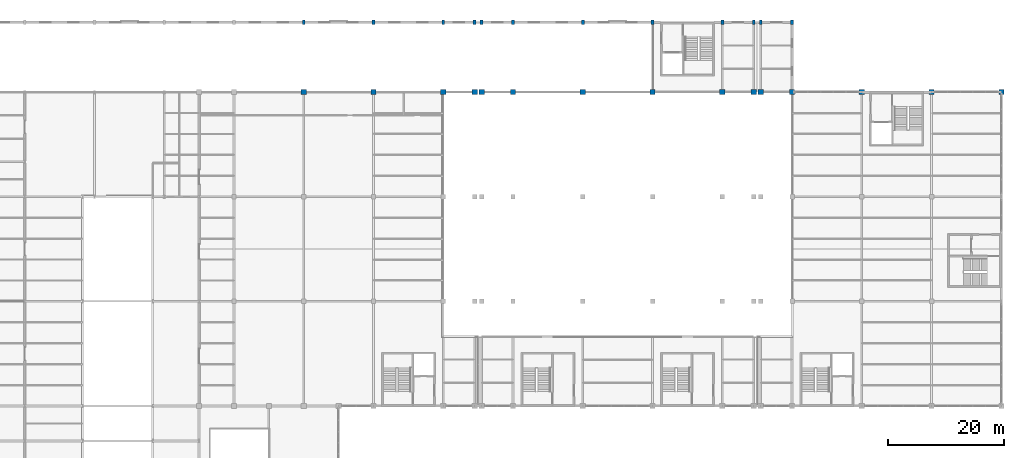
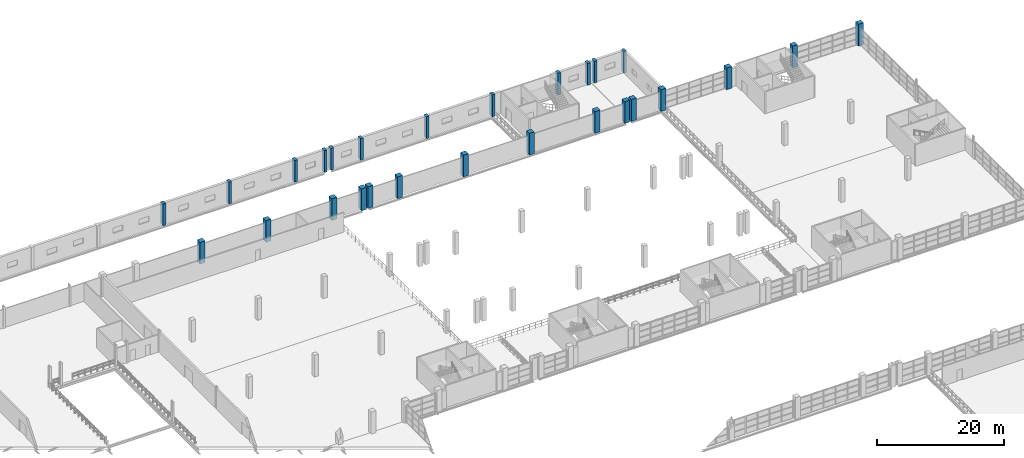
# One storey, part 21 of 158: 27 columns.
"""IFC4 building model written with IfcOpenShell, lengths in metres."""

from ifc_helpers import new_model, si_unit, direction, frame, origin, origin_2d, place, context, subcontext, project, spatial, rectangle, extrude, material, material_profile, profile_set, type_object, element, save


model = new_model("IFC4")

# Units and contexts
model_context = context("Model", 3, precision=1e-05, world=origin(), true_north=direction((0.0, 1.0)))
body_context = subcontext(model_context, "Body", "Model", "MODEL_VIEW")
ifc_project = project(units=[si_unit("LENGTHUNIT", "METRE"), si_unit("AREAUNIT", "SQUARE_METRE"), si_unit("VOLUMEUNIT", "CUBIC_METRE"), si_unit("PLANEANGLEUNIT", "RADIAN"), si_unit("MASSUNIT", "GRAM", prefix="KILO")], contexts=[model_context])

# Site, building, storey
site_placement = place(None, origin())
site = spatial("IfcSite", under=ifc_project, at=site_placement, CompositionType="ELEMENT")
building_placement = place(site_placement, origin())
building = spatial("IfcBuilding", under=site, at=building_placement, Name="Zilviju Railside Exhibition Hall", CompositionType="ELEMENT")
storey_placement = place(building_placement, frame((0.0, 0.0, 4.199951171875)))
storey = spatial("IfcBuildingStorey", under=building, at=storey_placement, Name="L02", CompositionType="ELEMENT", Elevation=4.199951171875)

# Columns
ifc_material = material(Name="Concrete C40/50", Category="concrete")
ifc_material_profile_1 = material_profile(ifc_material, rectangle(XDim=0.5, YDim=0.800048828125, at=origin_2d()), Name="RC COL 500x800")
ifc_profile_set_1 = profile_set([ifc_material_profile_1], Name="Concrete C40/50")
column_type_1 = type_object("IfcColumnType", Name="COL-RC-800x500", PredefinedType="COLUMN", material=ifc_profile_set_1)
for number, where, z_axis, x_axis, name in (
    (1, (96.0, 150.0, 0.0), (0.0, 0.0, 1.0), (1.0, 0.0, 0.0), "Structural Column L02 (96.0, 150.0)"),
    (2, (108.0, 150.0, 0.0), (0.0, 0.0, 1.0), (1.0, 0.0, 0.0), "Structural Column L02 (108.0, 150.0)"),
    (3, (120.0, 150.0, 0.0), (0.0, 0.0, 1.0), (1.0, 0.0, 0.0), "Structural Column L02 (120.0, 150.0)"),
    (4, (125.39990234375, 150.0, 0.0), (0.0, 0.0, 1.0), (1.0, 0.0, 0.0), "Structural Column L02 (125.4, 150.0)"),
    (5, (126.60009765625, 150.0, 0.0), (0.0, 0.0, 1.0), (1.0, 0.0, 0.0), "Structural Column L02 (126.6, 150.0)"),
    (6, (132.0, 150.0, 0.0), (0.0, 0.0, 1.0), (1.0, 0.0, 0.0), "Structural Column L02 (132.0, 150.0)"),
    (7, (144.0, 150.0, 0.0), (0.0, 0.0, 1.0), (1.0, 0.0, 0.0), "Structural Column L02 (144.0, 150.0)"),
    (8, (156.0, 150.0, 0.0), (0.0, 0.0, 1.0), (1.0, 0.0, 0.0), "Structural Column L02 (156.0, 150.0)"),
    (9, (168.0, 150.0, 0.0), (0.0, 0.0, 1.0), (1.0, 0.0, 0.0), "Structural Column L02 (168.0, 150.0)"),
    (10, (173.39990234375, 150.0, 0.0), (0.0, 0.0, 1.0), (1.0, 0.0, 0.0), "Structural Column L02 (173.4, 150.0)"),
    (11, (174.60009765625, 150.0, 0.0), (0.0, 0.0, 1.0), (1.0, 0.0, 0.0), "Structural Column L02 (174.6, 150.0)"),
    (12, (180.0, 150.0, 0.0), (0.0, 0.0, 1.0), (1.0, 0.0, 0.0), "Structural Column L02 (180.0, 150.0)"),
):
    element("IfcColumn", number, at=place(storey_placement, frame(where, z_axis=z_axis, x_axis=x_axis)), inside=storey, type_object=column_type_1, Name=name, PredefinedType="COLUMN", context=body_context, shape_type="SweptSolid", body=[
        extrude(rectangle(XDim=0.5, YDim=0.800048828125, at=origin_2d()), origin(), (0.0, 0.0, 1.0), 4.199951171875),
    ])
ifc_material_profile_2 = material_profile(ifc_material, rectangle(XDim=0.89990234375, YDim=0.89990234375, at=origin_2d()), Name="RC COL 900x900")
ifc_profile_set_2 = profile_set([ifc_material_profile_2], Name="Concrete C40/50")
column_type_2 = type_object("IfcColumnType", Name="COL-RC-900", PredefinedType="COLUMN", material=ifc_profile_set_2)
for number, where, z_axis, x_axis, name in (
    (13, (96.0, 138.0, 0.0), (0.0, 0.0, 1.0), (1.0, 0.0, 0.0), "Structural Column L02 (96.0, 138.0)"),
    (14, (108.0, 138.0, 0.0), (0.0, 0.0, 1.0), (1.0, 0.0, 0.0), "Structural Column L02 (108.0, 138.0)"),
    (15, (120.0, 138.0, 0.0), (0.0, 0.0, 1.0), (1.0, 0.0, 0.0), "Structural Column L02 (120.0, 138.0)"),
    (16, (125.39990234375, 138.0, 0.0), (0.0, 0.0, 1.0), (1.0, 0.0, 0.0), "Structural Column L02 (125.4, 138.0)"),
    (17, (126.60009765625, 138.0, 0.0), (0.0, 0.0, 1.0), (1.0, 0.0, 0.0), "Structural Column L02 (126.6, 138.0)"),
    (18, (132.0, 138.0, 0.0), (0.0, 0.0, 1.0), (1.0, 0.0, 0.0), "Structural Column L02 (132.0, 138.0)"),
    (19, (144.0, 138.0, 0.0), (0.0, 0.0, 1.0), (1.0, 0.0, 0.0), "Structural Column L02 (144.0, 138.0)"),
    (20, (156.0, 138.0, 0.0), (0.0, 0.0, 1.0), (1.0, 0.0, 0.0), "Structural Column L02 (156.0, 138.0)"),
    (21, (168.0, 138.0, 0.0), (0.0, 0.0, 1.0), (1.0, 0.0, 0.0), "Structural Column L02 (168.0, 138.0)"),
    (22, (173.39990234375, 138.0, 0.0), (0.0, 0.0, 1.0), (1.0, 0.0, 0.0), "Structural Column L02 (173.4, 138.0)"),
    (23, (174.60009765625, 138.0, 0.0), (0.0, 0.0, 1.0), (1.0, 0.0, 0.0), "Structural Column L02 (174.6, 138.0)"),
    (24, (180.0, 138.0, 0.0), (0.0, 0.0, 1.0), (1.0, 0.0, 0.0), "Structural Column L02 (180.0, 138.0)"),
    (25, (192.0, 138.0, 0.0), (0.0, 0.0, 1.0), (1.0, 0.0, 0.0), "Structural Column L02 (192.0, 138.0)"),
    (26, (204.0, 138.0, 0.0), (0.0, 0.0, 1.0), (1.0, 0.0, 0.0), "Structural Column L02 (204.0, 138.0)"),
    (27, (216.0, 138.0, 0.0), (0.0, 0.0, 1.0), (1.0, 0.0, 0.0), "Structural Column L02 (216.0, 138.0)"),
):
    element("IfcColumn", number, at=place(storey_placement, frame(where, z_axis=z_axis, x_axis=x_axis)), inside=storey, type_object=column_type_2, Name=name, PredefinedType="COLUMN", context=body_context, shape_type="SweptSolid", body=[
        extrude(rectangle(XDim=0.89990234375, YDim=0.89990234375, at=origin_2d()), origin(), (0.0, 0.0, 1.0), 4.199951171875),
    ])

save(model, "model.ifc")
